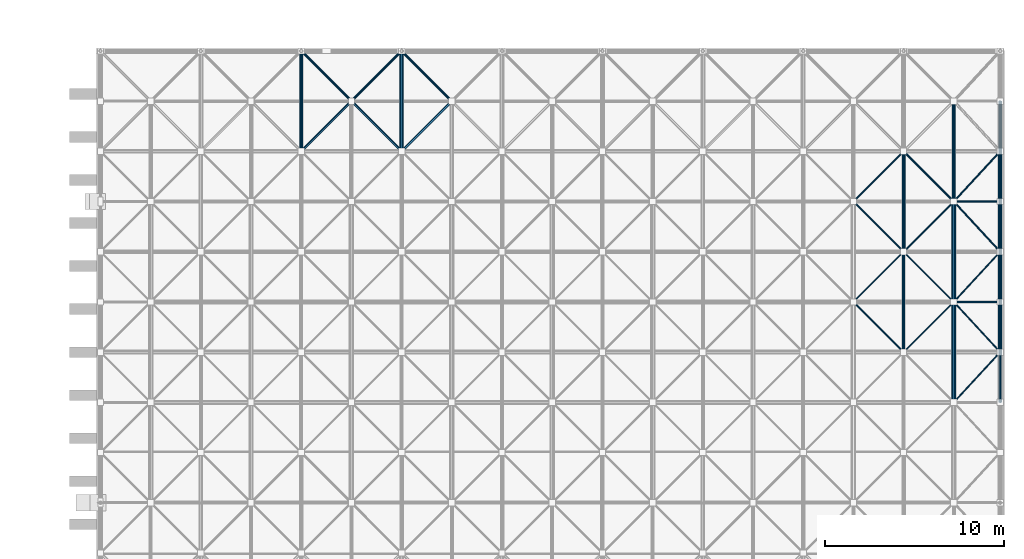
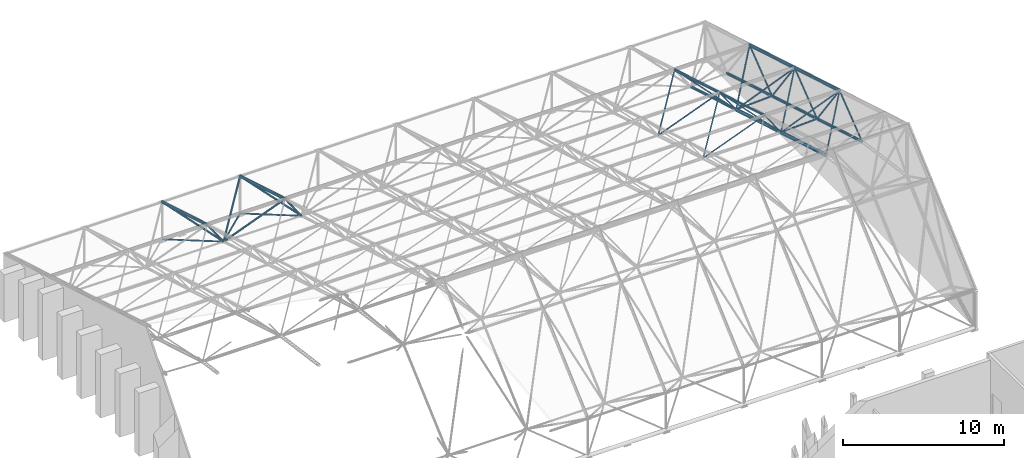
# One storey, part 39 of 100: 39 members.
"""IFC4 building model written with IfcOpenShell, lengths in metres."""

from ifc_helpers import new_model, si_unit, direction, frame, origin, origin_2d, place, context, subcontext, project, spatial, hollow_circle, extrude, material, material_profile, profile_set, type_object, element, save


model = new_model("IFC4")

# Units and contexts
model_context = context("Model", 3, precision=1e-05, world=origin(), true_north=direction((0.0, 1.0)))
body_context = subcontext(model_context, "Body", "Model", "MODEL_VIEW")
ifc_project = project(units=[si_unit("LENGTHUNIT", "METRE"), si_unit("AREAUNIT", "SQUARE_METRE"), si_unit("VOLUMEUNIT", "CUBIC_METRE"), si_unit("PLANEANGLEUNIT", "RADIAN"), si_unit("MASSUNIT", "GRAM", prefix="KILO")], contexts=[model_context])

# Site, building, storey
site_placement = place(None, origin())
site = spatial("IfcSite", under=ifc_project, at=site_placement, CompositionType="ELEMENT")
building_placement = place(site_placement, origin())
building = spatial("IfcBuilding", under=site, at=building_placement, Name="Kiln Court Media Centre", CompositionType="ELEMENT")
storey_placement = place(building_placement, frame((0.0, 0.0, 15.0)))
storey = spatial("IfcBuildingStorey", under=building, at=storey_placement, Name="L03", CompositionType="ELEMENT", Elevation=15.0)

# Members
ifc_material_1 = material(Name="Steel ASTM A500 Gr C", Category="steel")
ifc_material_profile_1 = material_profile(ifc_material_1, hollow_circle(Radius=0.05078125, WallThickness=0.0048828125, at=origin_2d()), Name="CHS 101.6x5.0")
ifc_profile_set_1 = profile_set([ifc_material_profile_1], Name="Steel ASTM A500 Gr C")
member_type_1 = type_object("IfcMemberType", Name="Steel ASTM A500 Gr C CHS 101.6x5.0 space frame brace", PredefinedType="BRACE", material=ifc_profile_set_1)
member_1_placement = place(storey_placement, frame((159.60009765625, 58.800048828125, 2.3701171875), z_axis=(0.499761045685, -0.49980462443, 0.70741376479), x_axis=(0.70713760873, 0.707075952299, 0.0)))
element("IfcMember", 1, at=member_1_placement, inside=storey, type_object=member_type_1, Name="V2 roof diagonal 5-8 space frame brace", PredefinedType="BRACE", context=body_context, shape_type="SweptSolid", body=[
    extrude(hollow_circle(Radius=0.05078125, WallThickness=0.0048828125, at=origin_2d()), origin(), (0.0, 0.0, 1.0), 5.602294921875),
])
member_2_placement = place(storey_placement, frame((159.60009765625, 58.800048828125, 2.3701171875), z_axis=(0.611642208339, 0.611695543028, 0.501719415229), x_axis=(-0.70713760873, 0.707075952299, 0.0)))
element("IfcMember", 2, at=member_2_placement, inside=storey, type_object=member_type_1, Name="V2 roof diagonal 5-8 space frame brace", PredefinedType="BRACE", context=body_context, shape_type="SweptSolid", body=[
    extrude(hollow_circle(Radius=0.05078125, WallThickness=0.0048828125, at=origin_2d()), origin(), (0.0, 0.0, 1.0), 4.57763671875),
])
member_3_placement = place(storey_placement, frame((165.199951171875, 58.800048828125, 2.3701171875), z_axis=(-0.499793739087, -0.499793739087, 0.707398357886), x_axis=(0.707106781187, -0.707106781187, 0.0)))
element("IfcMember", 3, at=member_3_placement, inside=storey, type_object=member_type_1, Name="V2 roof diagonal 5-9 space frame brace", PredefinedType="BRACE", context=body_context, shape_type="SweptSolid", body=[
    extrude(hollow_circle(Radius=0.05078125, WallThickness=0.0048828125, at=origin_2d()), origin(), (0.0, 0.0, 1.0), 5.602294921875),
])
member_4_placement = place(storey_placement, frame((165.199951171875, 58.800048828125, 2.3701171875), z_axis=(-0.611675588557, 0.611675588557, 0.501703048353), x_axis=(-0.707106781187, -0.707106781187, 0.0)))
element("IfcMember", 4, at=member_4_placement, inside=storey, type_object=member_type_1, Name="V2 roof diagonal 5-9 space frame brace", PredefinedType="BRACE", context=body_context, shape_type="SweptSolid", body=[
    extrude(hollow_circle(Radius=0.05078125, WallThickness=0.0048828125, at=origin_2d()), origin(), (0.0, 0.0, 1.0), 4.57763671875),
])
member_5_placement = place(storey_placement, frame((165.199951171875, 58.800048828125, 2.3701171875), z_axis=(0.470400263224, -0.509204400086, 0.720718024814), x_axis=(0.734540658712, 0.678564676873, 0.0)))
element("IfcMember", 5, at=member_5_placement, inside=storey, type_object=member_type_1, Name="V2 roof diagonal 5-9 space frame brace", PredefinedType="BRACE", context=body_context, shape_type="SweptSolid", body=[
    extrude(hollow_circle(Radius=0.05078125, WallThickness=0.0048828125, at=origin_2d()), origin(), (0.0, 0.0, 1.0), 5.498779296875),
])
member_6_placement = place(storey_placement, frame((165.199951171875, 58.800048828125, 2.3701171875), z_axis=(0.581227942307, 0.629174447411, 0.516055804935), x_axis=(-0.734540658712, 0.678564676873, 0.0)))
element("IfcMember", 6, at=member_6_placement, inside=storey, type_object=member_type_1, Name="V2 roof diagonal 5-9 space frame brace", PredefinedType="BRACE", context=body_context, shape_type="SweptSolid", body=[
    extrude(hollow_circle(Radius=0.05078125, WallThickness=0.0048828125, at=origin_2d()), origin(), (0.0, 0.0, 1.0), 4.450439453125),
])
member_7_placement = place(storey_placement, frame((167.78662109375, 47.60009765625, 5.828125), z_axis=(0.0, 0.790138082553, 0.612928878827), x_axis=(-1.0, 0.0, 0.0)))
element("IfcMember", 7, at=member_7_placement, inside=storey, type_object=member_type_1, Name="V2 roof gable diagonal east 3 space frame brace", PredefinedType="BRACE", context=body_context, shape_type="SweptSolid", body=[
    extrude(hollow_circle(Radius=0.05078125, WallThickness=0.0048828125, at=origin_2d()), origin(), (0.0, 0.0, 1.0), 3.54345703125),
])
member_8_placement = place(storey_placement, frame((167.78662109375, 53.199951171875, 4.161376953125), z_axis=(0.0, -0.58931681958, 0.807902027575), x_axis=(1.0, 0.0, 0.0)))
element("IfcMember", 8, at=member_8_placement, inside=storey, type_object=member_type_1, Name="V2 roof gable diagonal east 4 space frame brace", PredefinedType="BRACE", context=body_context, shape_type="SweptSolid", body=[
    extrude(hollow_circle(Radius=0.05078125, WallThickness=0.0048828125, at=origin_2d()), origin(), (0.0, 0.0, 1.0), 4.75146484375),
])
member_9_placement = place(storey_placement, frame((167.78662109375, 53.199951171875, 4.161376953125), z_axis=(0.0, 0.790163964683, 0.612895512234), x_axis=(-1.0, 0.0, 0.0)))
element("IfcMember", 9, at=member_9_placement, inside=storey, type_object=member_type_1, Name="V2 roof gable diagonal east 4 space frame brace", PredefinedType="BRACE", context=body_context, shape_type="SweptSolid", body=[
    extrude(hollow_circle(Radius=0.05078125, WallThickness=0.0048828125, at=origin_2d()), origin(), (0.0, 0.0, 1.0), 3.543701171875),
])
member_10_placement = place(storey_placement, frame((167.78662109375, 58.800048828125, 2.494873046875), z_axis=(0.0, -0.589341284514, 0.807884181283), x_axis=(1.0, 0.0, 0.0)))
element("IfcMember", 10, at=member_10_placement, inside=storey, type_object=member_type_1, Name="V2 roof gable diagonal east 5 space frame brace", PredefinedType="BRACE", context=body_context, shape_type="SweptSolid", body=[
    extrude(hollow_circle(Radius=0.05078125, WallThickness=0.0048828125, at=origin_2d()), origin(), (0.0, 0.0, 1.0), 4.751220703125),
])
member_11_placement = place(storey_placement, frame((167.78662109375, 58.800048828125, 2.494873046875), z_axis=(0.0, 0.790163964683, 0.612895512234), x_axis=(-1.0, 0.0, 0.0)))
element("IfcMember", 11, at=member_11_placement, inside=storey, type_object=member_type_1, Name="V2 roof gable diagonal east 5 space frame brace", PredefinedType="BRACE", context=body_context, shape_type="SweptSolid", body=[
    extrude(hollow_circle(Radius=0.05078125, WallThickness=0.0048828125, at=origin_2d()), origin(), (0.0, 0.0, 1.0), 3.543701171875),
])
ifc_material_2 = material(Name="Steel ASTM A500 Gr C", Category="steel")
ifc_material_profile_2 = material_profile(ifc_material_2, hollow_circle(Radius=0.05712890625, WallThickness=0.0048828125, at=origin_2d()), Name="CHS 114.3x5.0")
ifc_profile_set_2 = profile_set([ifc_material_profile_2], Name="Steel ASTM A500 Gr C")
member_type_2 = type_object("IfcMemberType", Name="Steel ASTM A500 Gr C CHS 114.3x5.0 space frame brace", PredefinedType="BRACE", material=ifc_profile_set_2)
member_12_placement = place(storey_placement, frame((128.800048828125, 67.199951171875, 0.16455078125), z_axis=(0.700650262178, -0.700650262178, 0.134827371927), x_axis=(0.707106781187, 0.707106781187, 0.0)))
element("IfcMember", 12, at=member_12_placement, inside=storey, type_object=member_type_2, Name="V2 roof bearing tie last 3 space frame brace", PredefinedType="BRACE", context=body_context, shape_type="SweptSolid", body=[
    extrude(hollow_circle(Radius=0.05712890625, WallThickness=0.0048828125, at=origin_2d()), origin(), (0.0, 0.0, 1.0), 3.996337890625),
])
member_13_placement = place(storey_placement, frame((134.39990234375, 67.199951171875, 0.16455078125), z_axis=(-0.700619159519, -0.700680252923, 0.134833143099), x_axis=(0.70713760873, -0.707075952299, 0.0)))
element("IfcMember", 13, at=member_13_placement, inside=storey, type_object=member_type_2, Name="V2 roof bearing tie last 4 space frame brace", PredefinedType="BRACE", context=body_context, shape_type="SweptSolid", body=[
    extrude(hollow_circle(Radius=0.05712890625, WallThickness=0.0048828125, at=origin_2d()), origin(), (0.0, 0.0, 1.0), 3.99609375),
])
member_14_placement = place(storey_placement, frame((134.39990234375, 67.199951171875, 0.16455078125), z_axis=(0.700650262178, -0.700650262178, 0.134827371927), x_axis=(0.707106781187, 0.707106781187, 0.0)))
element("IfcMember", 14, at=member_14_placement, inside=storey, type_object=member_type_2, Name="V2 roof bearing tie last 4 space frame brace", PredefinedType="BRACE", context=body_context, shape_type="SweptSolid", body=[
    extrude(hollow_circle(Radius=0.05712890625, WallThickness=0.0048828125, at=origin_2d()), origin(), (0.0, 0.0, 1.0), 3.996337890625),
])
for number, where, z_axis, x_axis, name in (
    (15, (167.78662109375, 53.199951171875, 4.161376953125), (-0.998838944421, 0.0, -0.048174299254), (0.0, -1.0, 0.0), "V2 roof gable tie east 4 space frame brace"),
    (16, (167.78662109375, 58.800048828125, 2.494873046875), (-0.998838944421, 0.0, -0.048174299254), (0.0, -1.0, 0.0), "V2 roof gable tie east 5 space frame brace"),
):
    element("IfcMember", number, at=place(storey_placement, frame(where, z_axis=z_axis, x_axis=x_axis)), inside=storey, type_object=member_type_2, Name=name, PredefinedType="BRACE", context=body_context, shape_type="SweptSolid", body=[
        extrude(hollow_circle(Radius=0.05712890625, WallThickness=0.0048828125, at=origin_2d()), origin(), (0.0, 0.0, 1.0), 2.589599609375),
    ])
ifc_material_3 = material(Name="Steel ASTM A500 Gr C", Category="steel")
ifc_material_profile_3 = material_profile(ifc_material_3, hollow_circle(Radius=0.06982421875, WallThickness=0.0048828125, at=origin_2d()), Name="CHS 139.7x5.0")
ifc_profile_set_3 = profile_set([ifc_material_profile_3], Name="Steel ASTM A500 Gr C")
member_type_3 = type_object("IfcMemberType", Name="Steel ASTM A500 Gr C CHS 139.7x5.0 space frame brace", PredefinedType="BRACE", material=ifc_profile_set_3)
member_15_placement = place(storey_placement, frame((131.60009765625, 64.39990234375, 0.703369140625), z_axis=(-0.499789216589, -0.499745639188, 0.707435534232), x_axis=(0.707075952299, -0.70713760873, 0.0)))
element("IfcMember", 17, at=member_15_placement, inside=storey, type_object=member_type_3, Name="V2 roof diagonal 6-3 space frame brace", PredefinedType="BRACE", context=body_context, shape_type="SweptSolid", body=[
    extrude(hollow_circle(Radius=0.06982421875, WallThickness=0.0048828125, at=origin_2d()), origin(), (0.0, 0.0, 1.0), 5.6025390625),
])
member_16_placement = place(storey_placement, frame((131.60009765625, 64.39990234375, 0.703369140625), z_axis=(-0.611675588557, 0.611675588557, 0.501703048353), x_axis=(-0.707106781187, -0.707106781187, 0.0)))
element("IfcMember", 18, at=member_16_placement, inside=storey, type_object=member_type_3, Name="V2 roof diagonal 6-3 space frame brace", PredefinedType="BRACE", context=body_context, shape_type="SweptSolid", body=[
    extrude(hollow_circle(Radius=0.06982421875, WallThickness=0.0048828125, at=origin_2d()), origin(), (0.0, 0.0, 1.0), 4.57763671875),
])
member_17_placement = place(storey_placement, frame((131.60009765625, 64.39990234375, 0.703369140625), z_axis=(0.499756523287, -0.499756523287, 0.707450941667), x_axis=(0.707106781187, 0.707106781187, 0.0)))
element("IfcMember", 19, at=member_17_placement, inside=storey, type_object=member_type_3, Name="V2 roof diagonal 6-3 space frame brace", PredefinedType="BRACE", context=body_context, shape_type="SweptSolid", body=[
    extrude(hollow_circle(Radius=0.06982421875, WallThickness=0.0048828125, at=origin_2d()), origin(), (0.0, 0.0, 1.0), 5.602294921875),
])
member_18_placement = place(storey_placement, frame((131.60009765625, 64.39990234375, 0.703369140625), z_axis=(0.611642208339, 0.611695543028, 0.501719415229), x_axis=(-0.70713760873, 0.707075952299, 0.0)))
element("IfcMember", 20, at=member_18_placement, inside=storey, type_object=member_type_3, Name="V2 roof diagonal 6-3 space frame brace", PredefinedType="BRACE", context=body_context, shape_type="SweptSolid", body=[
    extrude(hollow_circle(Radius=0.06982421875, WallThickness=0.0048828125, at=origin_2d()), origin(), (0.0, 0.0, 1.0), 4.57763671875),
])
member_19_placement = place(storey_placement, frame((137.199951171875, 64.39990234375, 0.703369140625), z_axis=(-0.499789216589, -0.499745639188, 0.707435534232), x_axis=(0.707075952299, -0.70713760873, 0.0)))
element("IfcMember", 21, at=member_19_placement, inside=storey, type_object=member_type_3, Name="V2 roof diagonal 6-4 space frame brace", PredefinedType="BRACE", context=body_context, shape_type="SweptSolid", body=[
    extrude(hollow_circle(Radius=0.06982421875, WallThickness=0.0048828125, at=origin_2d()), origin(), (0.0, 0.0, 1.0), 5.6025390625),
])
member_20_placement = place(storey_placement, frame((137.199951171875, 64.39990234375, 0.703369140625), z_axis=(-0.611675588557, 0.611675588557, 0.501703048353), x_axis=(-0.707106781187, -0.707106781187, 0.0)))
element("IfcMember", 22, at=member_20_placement, inside=storey, type_object=member_type_3, Name="V2 roof diagonal 6-4 space frame brace", PredefinedType="BRACE", context=body_context, shape_type="SweptSolid", body=[
    extrude(hollow_circle(Radius=0.06982421875, WallThickness=0.0048828125, at=origin_2d()), origin(), (0.0, 0.0, 1.0), 4.57763671875),
])
ifc_material_4 = material(Name="Steel ASTM A500 Gr C", Category="steel")
ifc_material_profile_4 = material_profile(ifc_material_4, hollow_circle(Radius=0.084228515625, WallThickness=0.00634765625, at=origin_2d()), Name="CHS 168.3x6.3")
ifc_profile_set_4 = profile_set([ifc_material_profile_4], Name="Steel ASTM A500 Gr C")
member_type_4 = type_object("IfcMemberType", Name="Steel ASTM A500 Gr C CHS 168.3x6.3 space frame chord", PredefinedType="CHORD", material=ifc_profile_set_4)
member_21_placement = place(storey_placement, frame((162.39990234375, 50.39990234375, 8.0), z_axis=(0.0, 0.958449630422, -0.285261819988), x_axis=(-1.0, 0.0, 0.0)))
element("IfcMember", 23, at=member_21_placement, inside=storey, type_object=member_type_4, Name="V2 roof top chord across line 9 space frame chord", PredefinedType="CHORD", context=body_context, shape_type="SweptSolid", body=[
    extrude(hollow_circle(Radius=0.084228515625, WallThickness=0.00634765625, at=origin_2d()), origin(), (0.0, 0.0, 1.0), 5.8427734375),
])
ifc_material_5 = material(Name="Steel ASTM A500 Gr C", Category="steel")
ifc_material_profile_5 = material_profile(ifc_material_5, hollow_circle(Radius=0.096923828125, WallThickness=0.008056640625, at=origin_2d()), Name="CHS 193.7x8.0")
ifc_profile_set_5 = profile_set([ifc_material_profile_5], Name="Steel ASTM A500 Gr C")
member_type_5 = type_object("IfcMemberType", Name="Steel ASTM A500 Gr C CHS 193.7x8.0 space frame chord", PredefinedType="CHORD", material=ifc_profile_set_5)
member_22_placement = place(storey_placement, frame((162.39990234375, 56.0, 6.333251953125), z_axis=(0.0, 0.958461054013, -0.285223435116), x_axis=(-1.0, 0.0, 0.0)))
element("IfcMember", 24, at=member_22_placement, inside=storey, type_object=member_type_5, Name="V2 roof top chord across line 9 space frame chord", PredefinedType="CHORD", context=body_context, shape_type="SweptSolid", body=[
    extrude(hollow_circle(Radius=0.096923828125, WallThickness=0.008056640625, at=origin_2d()), origin(), (0.0, 0.0, 1.0), 5.8427734375),
])
member_23_placement = place(storey_placement, frame((165.199951171875, 58.800048828125, 2.3701171875), z_axis=(0.0, 0.958446230045, -0.285273244649), x_axis=(-1.0, 0.0, 0.0)))
element("IfcMember", 25, at=member_23_placement, inside=storey, type_object=member_type_5, Name="V2 roof bottom chord across line 9 space frame chord", PredefinedType="CHORD", context=body_context, shape_type="SweptSolid", body=[
    extrude(hollow_circle(Radius=0.096923828125, WallThickness=0.008056640625, at=origin_2d()), origin(), (0.0, 0.0, 1.0), 5.842529296875),
])
member_24_placement = place(storey_placement, frame((167.78662109375, 47.60009765625, 5.828125), z_axis=(0.0, 0.958451171748, -0.285256641246), x_axis=(-1.0, 0.0, 0.0)))
element("IfcMember", 26, at=member_24_placement, inside=storey, type_object=member_type_5, Name="V2 roof gable bottom chord east space frame chord", PredefinedType="CHORD", context=body_context, shape_type="SweptSolid", body=[
    extrude(hollow_circle(Radius=0.096923828125, WallThickness=0.008056640625, at=origin_2d()), origin(), (0.0, 0.0, 1.0), 17.528076171875),
])
ifc_material_6 = material(Name="Steel ASTM A500 Gr C", Category="steel")
ifc_material_profile_6 = material_profile(ifc_material_6, hollow_circle(Radius=0.109619140625, WallThickness=0.008056640625, at=origin_2d()), Name="CHS 219.1x8.0")
ifc_profile_set_6 = profile_set([ifc_material_profile_6], Name="Steel ASTM A500 Gr C")
member_type_6 = type_object("IfcMemberType", Name="Steel ASTM A500 Gr C CHS 219.1x8.0 space frame chord", PredefinedType="CHORD", material=ifc_profile_set_6)
for number, where, z_axis, x_axis, name in (
    (27, (128.800048828125, 61.60009765625, 4.666748046875), (0.0, 0.958446230045, -0.285273244649), (-1.0, 0.0, 0.0), "V2 roof top chord across line 3 space frame chord"),
    (28, (134.39990234375, 61.60009765625, 4.666748046875), (0.0, 0.958446230045, -0.285273244649), (-1.0, 0.0, 0.0), "V2 roof top chord across line 4 space frame chord"),
):
    element("IfcMember", number, at=place(storey_placement, frame(where, z_axis=z_axis, x_axis=x_axis)), inside=storey, type_object=member_type_6, Name=name, PredefinedType="CHORD", context=body_context, shape_type="SweptSolid", body=[
        extrude(hollow_circle(Radius=0.109619140625, WallThickness=0.008056640625, at=origin_2d()), origin(), (0.0, 0.0, 1.0), 5.842529296875),
    ])
for number, where, z_axis, x_axis, name in (
    (29, (167.78662109375, 50.39990234375, 8.0), (0.0, 0.958449630422, -0.285261819988), (-1.0, 0.0, 0.0), "V2 roof top chord across line 10 space frame chord"),
    (30, (167.78662109375, 56.0, 6.333251953125), (0.0, 0.958461054013, -0.285223435116), (-1.0, 0.0, 0.0), "V2 roof top chord across line 10 space frame chord"),
):
    element("IfcMember", number, at=place(storey_placement, frame(where, z_axis=z_axis, x_axis=x_axis)), inside=storey, type_object=member_type_6, Name=name, PredefinedType="CHORD", context=body_context, shape_type="SweptSolid", body=[
        extrude(hollow_circle(Radius=0.109619140625, WallThickness=0.008056640625, at=origin_2d()), origin(), (0.0, 0.0, 1.0), 5.8427734375),
    ])
ifc_material_7 = material(Name="Steel ASTM A500 Gr C", Category="steel")
ifc_material_profile_7 = material_profile(ifc_material_7, hollow_circle(Radius=0.122314453125, WallThickness=0.010009765625, at=origin_2d()), Name="CHS 244.5x10.0")
ifc_profile_set_7 = profile_set([ifc_material_profile_7], Name="Steel ASTM A500 Gr C")
member_type_7 = type_object("IfcMemberType", Name="Steel ASTM A500 Gr C CHS 244.5x10.0 space frame chord", PredefinedType="CHORD", material=ifc_profile_set_7)
member_25_placement = place(storey_placement, frame((165.199951171875, 47.60009765625, 5.703369140625), z_axis=(0.0, 0.958446230045, -0.285273244649), x_axis=(-1.0, 0.0, 0.0)))
element("IfcMember", 31, at=member_25_placement, inside=storey, type_object=member_type_7, Name="V2 roof bottom chord across line 9 space frame chord", PredefinedType="CHORD", context=body_context, shape_type="SweptSolid", body=[
    extrude(hollow_circle(Radius=0.122314453125, WallThickness=0.010009765625, at=origin_2d()), origin(), (0.0, 0.0, 1.0), 5.842529296875),
])
member_26_placement = place(storey_placement, frame((165.199951171875, 53.199951171875, 4.03662109375), z_axis=(0.0, 0.958461054013, -0.285223435116), x_axis=(-1.0, 0.0, 0.0)))
element("IfcMember", 32, at=member_26_placement, inside=storey, type_object=member_type_7, Name="V2 roof bottom chord across line 9 space frame chord", PredefinedType="CHORD", context=body_context, shape_type="SweptSolid", body=[
    extrude(hollow_circle(Radius=0.122314453125, WallThickness=0.010009765625, at=origin_2d()), origin(), (0.0, 0.0, 1.0), 5.8427734375),
])
ifc_material_8 = material(Name="Steel ASTM A500 Gr C", Category="steel")
ifc_material_profile_8 = material_profile(ifc_material_8, hollow_circle(Radius=0.04443359375, WallThickness=0.00390625, at=origin_2d()), Name="CHS 88.9x4.0")
ifc_profile_set_8 = profile_set([ifc_material_profile_8], Name="Steel ASTM A500 Gr C")
member_type_8 = type_object("IfcMemberType", Name="Steel ASTM A500 Gr C CHS 88.9x4.0 space frame brace", PredefinedType="BRACE", material=ifc_profile_set_8)
member_27_placement = place(storey_placement, frame((165.199951171875, 47.60009765625, 5.703369140625), z_axis=(0.581248003956, 0.629141303386, 0.516073617104), x_axis=(-0.734511166766, 0.678596600269, 0.0)))
element("IfcMember", 33, at=member_27_placement, inside=storey, type_object=member_type_8, Name="V2 roof diagonal 3-9 space frame brace", PredefinedType="BRACE", context=body_context, shape_type="SweptSolid", body=[
    extrude(hollow_circle(Radius=0.04443359375, WallThickness=0.00390625, at=origin_2d()), origin(), (0.0, 0.0, 1.0), 4.4501953125),
])
member_28_placement = place(storey_placement, frame((159.60009765625, 53.199951171875, 4.03662109375), z_axis=(0.499745639188, -0.499789216589, 0.707435534232), x_axis=(0.70713760873, 0.707075952299, 0.0)))
element("IfcMember", 34, at=member_28_placement, inside=storey, type_object=member_type_8, Name="V2 roof diagonal 4-8 space frame brace", PredefinedType="BRACE", context=body_context, shape_type="SweptSolid", body=[
    extrude(hollow_circle(Radius=0.04443359375, WallThickness=0.00390625, at=origin_2d()), origin(), (0.0, 0.0, 1.0), 5.6025390625),
])
member_29_placement = place(storey_placement, frame((159.60009765625, 53.199951171875, 4.03662109375), z_axis=(0.611642208339, 0.611695543028, 0.501719415229), x_axis=(-0.70713760873, 0.707075952299, 0.0)))
element("IfcMember", 35, at=member_29_placement, inside=storey, type_object=member_type_8, Name="V2 roof diagonal 4-8 space frame brace", PredefinedType="BRACE", context=body_context, shape_type="SweptSolid", body=[
    extrude(hollow_circle(Radius=0.04443359375, WallThickness=0.00390625, at=origin_2d()), origin(), (0.0, 0.0, 1.0), 4.57763671875),
])
member_30_placement = place(storey_placement, frame((165.199951171875, 53.199951171875, 4.03662109375), z_axis=(-0.499778332252, -0.499778332252, 0.707420127804), x_axis=(0.707106781187, -0.707106781187, 0.0)))
element("IfcMember", 36, at=member_30_placement, inside=storey, type_object=member_type_8, Name="V2 roof diagonal 4-9 space frame brace", PredefinedType="BRACE", context=body_context, shape_type="SweptSolid", body=[
    extrude(hollow_circle(Radius=0.04443359375, WallThickness=0.00390625, at=origin_2d()), origin(), (0.0, 0.0, 1.0), 5.6025390625),
])
member_31_placement = place(storey_placement, frame((165.199951171875, 53.199951171875, 4.03662109375), z_axis=(-0.611675588557, 0.611675588557, 0.501703048353), x_axis=(-0.707106781187, -0.707106781187, 0.0)))
element("IfcMember", 37, at=member_31_placement, inside=storey, type_object=member_type_8, Name="V2 roof diagonal 4-9 space frame brace", PredefinedType="BRACE", context=body_context, shape_type="SweptSolid", body=[
    extrude(hollow_circle(Radius=0.04443359375, WallThickness=0.00390625, at=origin_2d()), origin(), (0.0, 0.0, 1.0), 4.57763671875),
])
member_32_placement = place(storey_placement, frame((165.199951171875, 53.199951171875, 4.03662109375), z_axis=(0.470385211298, -0.509188106501, 0.720739360095), x_axis=(0.734540658712, 0.678564676873, 0.0)))
element("IfcMember", 38, at=member_32_placement, inside=storey, type_object=member_type_8, Name="V2 roof diagonal 4-9 space frame brace", PredefinedType="BRACE", context=body_context, shape_type="SweptSolid", body=[
    extrude(hollow_circle(Radius=0.04443359375, WallThickness=0.00390625, at=origin_2d()), origin(), (0.0, 0.0, 1.0), 5.4990234375),
])
member_33_placement = place(storey_placement, frame((165.199951171875, 53.199951171875, 4.03662109375), z_axis=(0.581227942307, 0.629174447411, 0.516055804935), x_axis=(-0.734540658712, 0.678564676873, 0.0)))
element("IfcMember", 39, at=member_33_placement, inside=storey, type_object=member_type_8, Name="V2 roof diagonal 4-9 space frame brace", PredefinedType="BRACE", context=body_context, shape_type="SweptSolid", body=[
    extrude(hollow_circle(Radius=0.04443359375, WallThickness=0.00390625, at=origin_2d()), origin(), (0.0, 0.0, 1.0), 4.450439453125),
])

save(model, "model.ifc")
